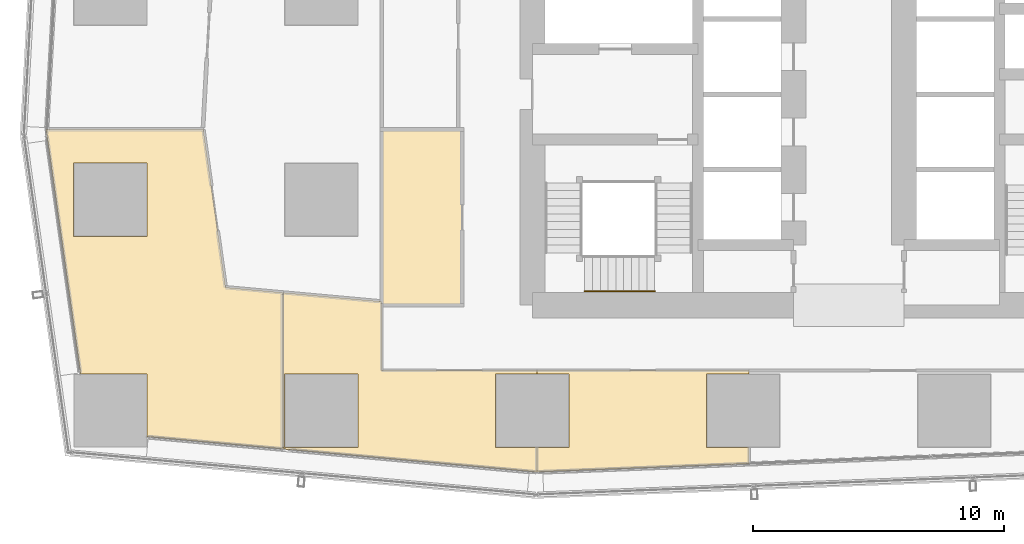
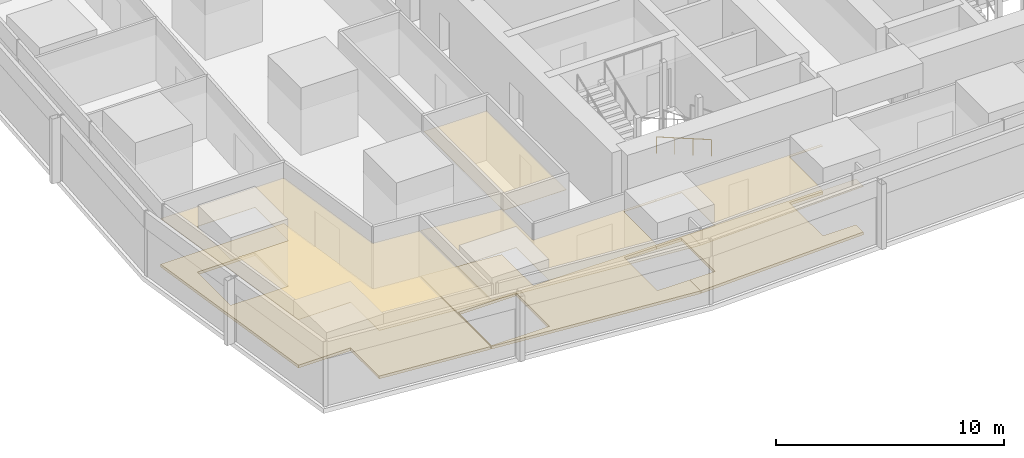
# One storey, part 33 of 40: 7 coverings, 1 railing.
"""IFC4 building model written with IfcOpenShell, lengths in metres."""

from ifc_helpers import new_model, si_unit, direction, frame, origin, origin_2d, place, context, subcontext, project, spatial, polyline, circle, outline, extrude, material, layer, layer_set, type_object, element, save


model = new_model("IFC4")

# Units and contexts
model_context = context("Model", 3, precision=1e-05, world=origin(), true_north=direction((0.0, 1.0)))
body_context = subcontext(model_context, "Body", "Model", "MODEL_VIEW")
ifc_project = project(units=[si_unit("LENGTHUNIT", "METRE"), si_unit("AREAUNIT", "SQUARE_METRE"), si_unit("VOLUMEUNIT", "CUBIC_METRE"), si_unit("PLANEANGLEUNIT", "RADIAN"), si_unit("MASSUNIT", "GRAM", prefix="KILO")], contexts=[model_context])

# Site, building, storey
site_placement = place(None, origin())
site = spatial("IfcSite", under=ifc_project, at=site_placement, CompositionType="ELEMENT")
building_placement = place(site_placement, origin())
building = spatial("IfcBuilding", under=site, at=building_placement, Name="Rekha Terrace Tower", CompositionType="ELEMENT")
storey_placement = place(building_placement, frame((0.0, 0.0, 95.300048828125)))
storey = spatial("IfcBuildingStorey", under=building, at=storey_placement, Name="L23", CompositionType="ELEMENT", Elevation=95.300048828125)

# Coverings
ifc_material_1 = material(Name="Mineral fibre tile in exposed grid", Category="finish")
ifc_layer_1 = layer(ifc_material_1, 0.02001953125)
ifc_layer_set_1 = layer_set([ifc_layer_1], Name="Mineral fibre tile in exposed grid")
covering_type_1 = type_object("IfcCoveringType", Name="CL1 600x1200 office grid ceiling", PredefinedType="CEILING", material=ifc_layer_set_1)
covering_1_placement = place(storey_placement, frame((0.0, 0.0, 2.579833984375)))
element("IfcCovering", 1, at=covering_1_placement, inside=storey, type_object=covering_type_1, Name="Ceiling L23-19", PredefinedType="CEILING", context=body_context, shape_type="SweptSolid", body=[
    extrude(outline(polyline([(15.25, 21.5048828125), (12.986083984375, 21.7099609375), (12.09912109375, 27.9990234375), (5.837890625, 27.9990234375), (7.2099609375, 18.264892578125), (9.864990234375, 18.264892578125), (9.864990234375, 15.76806640625), (15.25, 15.279052734375), (15.25, 21.5048828125)]), holes=[polyline([(9.864990234375, 23.735107421875), (6.93505859375, 23.735107421875), (6.93505859375, 26.6650390625), (9.864990234375, 26.6650390625), (9.864990234375, 23.735107421875)])]), origin(), (0.0, 0.0, 1.0), 0.02001953125),
])
covering_2_placement = place(storey_placement, frame((0.0, 0.0, 2.579833984375)))
element("IfcCovering", 2, at=covering_2_placement, inside=storey, type_object=covering_type_1, Name="Ceiling L23-20", PredefinedType="CEILING", context=body_context, shape_type="SweptSolid", body=[
    extrude(outline(polyline([(19.199951171875, 18.39990234375), (19.199951171875, 21.14599609375), (15.2900390625, 21.5009765625), (15.2900390625, 15.27490234375), (25.37890625, 14.35888671875), (25.37890625, 15.3349609375), (23.735107421875, 15.3349609375), (23.735107421875, 18.264892578125), (25.37890625, 18.264892578125), (25.37890625, 18.39990234375), (19.199951171875, 18.39990234375)]), holes=[polyline([(18.264892578125, 15.3349609375), (15.3349609375, 15.3349609375), (15.3349609375, 18.264892578125), (18.264892578125, 18.264892578125), (18.264892578125, 15.3349609375)])]), origin(), (0.0, 0.0, 1.0), 0.02001953125),
])
covering_3_placement = place(storey_placement, frame((0.0, 0.0, 2.579833984375)))
element("IfcCovering", 3, at=covering_3_placement, inside=storey, type_object=covering_type_1, Name="Ceiling L23-21", PredefinedType="CEILING", context=body_context, shape_type="SweptSolid", body=[
    extrude(outline(polyline([(25.3798828125, 15.3349609375), (25.3798828125, 14.363037109375), (33.824951171875, 14.69189453125), (33.824951171875, 15.3349609375), (32.135009765625, 15.3349609375), (32.135009765625, 18.264892578125), (33.824951171875, 18.264892578125), (33.824951171875, 18.39990234375), (25.3798828125, 18.39990234375), (25.3798828125, 18.264892578125), (26.6650390625, 18.264892578125), (26.6650390625, 15.3349609375), (25.3798828125, 15.3349609375)])), origin(), (0.0, 0.0, 1.0), 0.02001953125),
])
ifc_material_2 = material(Name="Fibre cement board", Category="finish")
ifc_layer_2 = layer(ifc_material_2, 0.014892578125)
ifc_layer_set_2 = layer_set([ifc_layer_2], Name="Fibre cement board")
covering_type_2 = type_object("IfcCoveringType", Name="CL2 moisture-resistant board ceiling", PredefinedType="CEILING", material=ifc_layer_set_2)
covering_4_placement = place(storey_placement, frame((0.0, 0.0, 2.5849609375)))
element("IfcCovering", 4, at=covering_4_placement, inside=storey, type_object=covering_type_2, Name="Ceiling L23-WCM", PredefinedType="CEILING", context=body_context, shape_type="SweptSolid", body=[
    extrude(outline(polyline([(22.39990234375, 28.0), (19.199951171875, 28.0), (19.199951171875, 21.0), (22.39990234375, 21.0), (22.39990234375, 28.0)])), origin(), (0.0, 0.0, 1.0), 0.014892578125),
])

# Railing
ifc_material_3 = material(Name="Stainless steel tube", Category="steel")
railing_type = type_object("IfcRailingType", Name="HR1 900 stair handrail", PredefinedType="HANDRAIL", material=ifc_material_3)
railing_placement = place(storey_placement, frame((30.074951171875, 21.56005859375, 1.375)))
element("IfcRailing", 5, at=railing_placement, inside=storey, type_object=railing_type, Name="Handrail ST1 L23 flight 2", PredefinedType="HANDRAIL", context=body_context, shape_type="SweptSolid", body=[
    extrude(circle(Radius=0.02392578125, at=origin_2d()), frame((0.0, 0.0, 0.8759765625), z_axis=(-0.927443287984, 0.0, 0.373963831907), x_axis=(0.0, -1.0, 0.0)), (0.0, 0.0, 1.0), 3.00830078125),
    extrude(circle(Radius=0.02099609375, at=origin_2d()), origin(), (0.0, 0.0, 1.0), 0.851806640625),
    extrude(circle(Radius=0.02099609375, at=origin_2d()), frame((-0.929931640625, 0.0, 0.375)), (0.0, 0.0, 1.0), 0.851806640625),
    extrude(circle(Radius=0.02099609375, at=origin_2d()), frame((-1.860107421875, 0.0, 0.75)), (0.0, 0.0, 1.0), 0.851806640625),
    extrude(circle(Radius=0.02099609375, at=origin_2d()), frame((-2.7900390625, 0.0, 1.125)), (0.0, 0.0, 1.0), 0.851806640625),
])

# Coverings
ifc_material_4 = material(Name="Calcium sulphate panels on steel pedestals", Category="steel")
ifc_layer_3 = layer(ifc_material_4, 0.14990234375)
ifc_layer_set_3 = layer_set([ifc_layer_3], Name="Calcium sulphate panels on steel pedestals")
covering_type_3 = type_object("IfcCoveringType", Name="RF1 150 raised access floor", PredefinedType="FLOORING", material=ifc_layer_set_3)
covering_5_placement = place(storey_placement, origin())
element("IfcCovering", 6, at=covering_5_placement, inside=storey, type_object=covering_type_3, Name="Raised floor L23-19", PredefinedType="FLOORING", context=body_context, shape_type="SweptSolid", body=[
    extrude(outline(polyline([(15.25, 21.5048828125), (12.986083984375, 21.7099609375), (12.09912109375, 27.9990234375), (5.837890625, 27.9990234375), (7.2099609375, 18.264892578125), (9.864990234375, 18.264892578125), (9.864990234375, 15.76806640625), (15.25, 15.279052734375), (15.25, 21.5048828125)]), holes=[polyline([(9.864990234375, 23.735107421875), (6.93505859375, 23.735107421875), (6.93505859375, 26.6650390625), (9.864990234375, 26.6650390625), (9.864990234375, 23.735107421875)])]), origin(), (0.0, 0.0, 1.0), 0.14990234375),
])
covering_6_placement = place(storey_placement, origin())
element("IfcCovering", 7, at=covering_6_placement, inside=storey, type_object=covering_type_3, Name="Raised floor L23-20", PredefinedType="FLOORING", context=body_context, shape_type="SweptSolid", body=[
    extrude(outline(polyline([(19.199951171875, 18.39990234375), (19.199951171875, 21.14599609375), (15.2900390625, 21.5009765625), (15.2900390625, 15.27490234375), (25.37890625, 14.35888671875), (25.37890625, 15.3349609375), (23.735107421875, 15.3349609375), (23.735107421875, 18.264892578125), (25.37890625, 18.264892578125), (25.37890625, 18.39990234375), (19.199951171875, 18.39990234375)]), holes=[polyline([(18.264892578125, 15.3349609375), (15.3349609375, 15.3349609375), (15.3349609375, 18.264892578125), (18.264892578125, 18.264892578125), (18.264892578125, 15.3349609375)])]), origin(), (0.0, 0.0, 1.0), 0.14990234375),
])
covering_7_placement = place(storey_placement, origin())
element("IfcCovering", 8, at=covering_7_placement, inside=storey, type_object=covering_type_3, Name="Raised floor L23-21", PredefinedType="FLOORING", context=body_context, shape_type="SweptSolid", body=[
    extrude(outline(polyline([(25.3798828125, 15.3349609375), (25.3798828125, 14.363037109375), (33.824951171875, 14.69189453125), (33.824951171875, 15.3349609375), (32.135009765625, 15.3349609375), (32.135009765625, 18.264892578125), (33.824951171875, 18.264892578125), (33.824951171875, 18.39990234375), (25.3798828125, 18.39990234375), (25.3798828125, 18.264892578125), (26.6650390625, 18.264892578125), (26.6650390625, 15.3349609375), (25.3798828125, 15.3349609375)])), origin(), (0.0, 0.0, 1.0), 0.14990234375),
])

save(model, "model.ifc")
